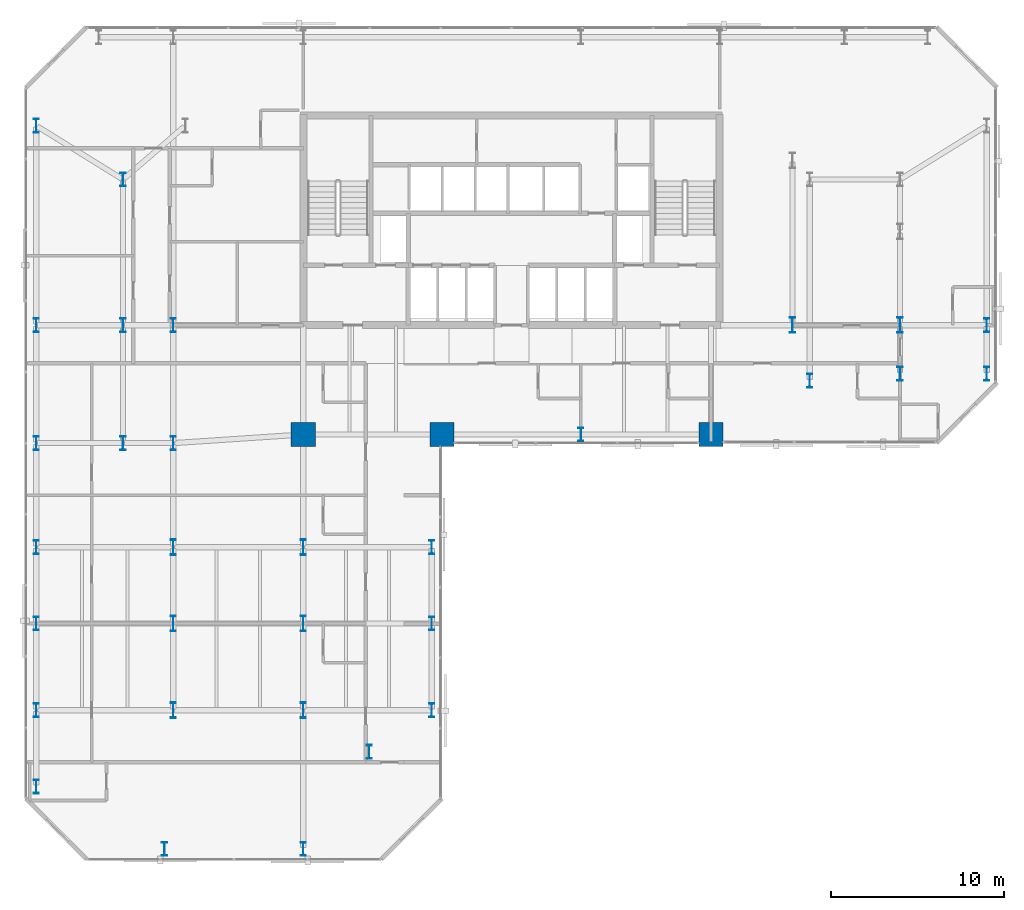
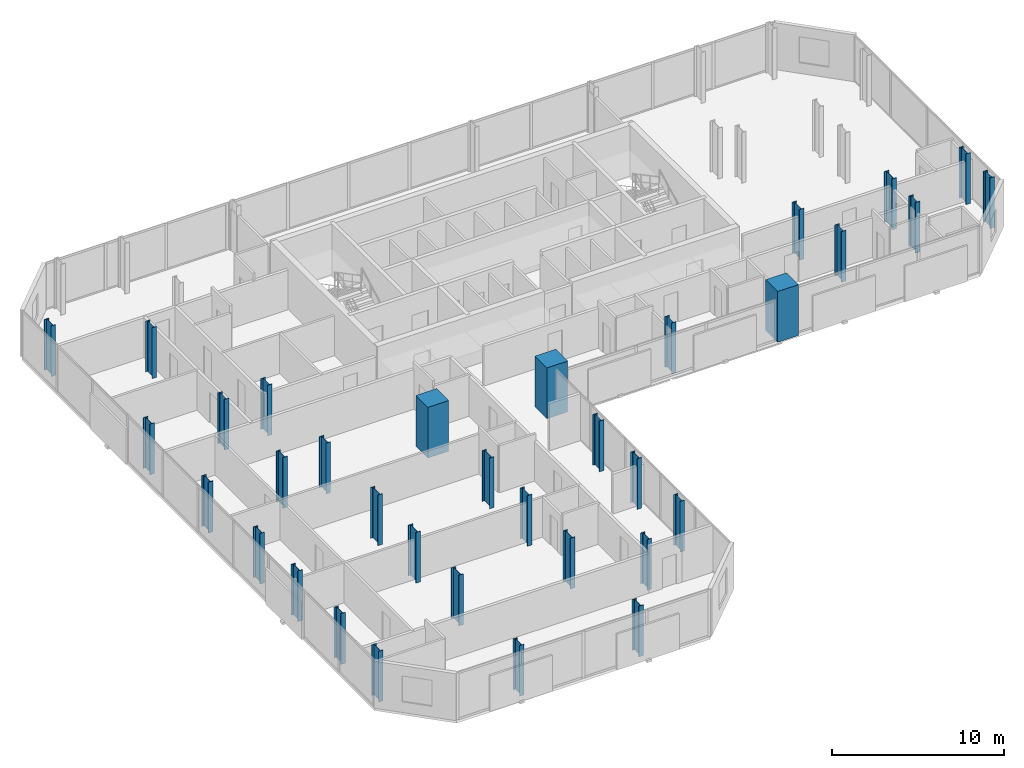
# One storey, part 1 of 33: 34 columns.
"""IFC4 building model written with IfcOpenShell, lengths in metres."""

from ifc_helpers import new_model, si_unit, direction, frame, origin, origin_2d, place, context, subcontext, project, spatial, rectangle, i_section, extrude, material, material_profile, profile_set, type_object, element, save


model = new_model("IFC4")

# Units and contexts
model_context = context("Model", 3, precision=1e-05, world=origin(), true_north=direction((0.0, 1.0)))
body_context = subcontext(model_context, "Body", "Model", "MODEL_VIEW")
ifc_project = project(units=[si_unit("LENGTHUNIT", "METRE"), si_unit("AREAUNIT", "SQUARE_METRE"), si_unit("VOLUMEUNIT", "CUBIC_METRE"), si_unit("PLANEANGLEUNIT", "RADIAN"), si_unit("MASSUNIT", "GRAM", prefix="KILO")], contexts=[model_context])

# Site, building, storey
site_placement = place(None, origin())
site = spatial("IfcSite", under=ifc_project, at=site_placement, CompositionType="ELEMENT")
building_placement = place(site_placement, origin())
building = spatial("IfcBuilding", under=site, at=building_placement, Name="Catumbela Crestline Tower", CompositionType="ELEMENT")
storey_placement = place(building_placement, frame((0.0, 0.0, 51.0)))
storey = spatial("IfcBuildingStorey", under=building, at=storey_placement, Name="L12", CompositionType="ELEMENT", Elevation=51.0)

# Columns
ifc_material_1 = material(Name="Concrete C60/75", Category="concrete")
ifc_material_profile_1 = material_profile(ifc_material_1, rectangle(XDim=1.4, YDim=1.4, at=origin_2d()), Name="RC 1400x1400")
ifc_profile_set_1 = profile_set([ifc_material_profile_1], Name="Concrete C60/75")
column_type_1 = type_object("IfcColumnType", Name="C-RC1400-C60", PredefinedType="COLUMN", material=ifc_profile_set_1)
for number, where, z_axis, x_axis, name in (
    (1, (16.0, 24.5, 0.0), (0.0, 0.0, 1.0), (1.0, 0.0, 0.0), "L12 Column C-16-24 (RC 1400x1400)"),
    (2, (24.0, 24.5, 0.0), (0.0, 0.0, 1.0), (1.0, 0.0, 0.0), "L12 Column C-24-24 (RC 1400x1400)"),
    (3, (39.5, 24.5, 0.0), (0.0, 0.0, 1.0), (1.0, 0.0, 0.0), "L12 Column C-40-24 (RC 1400x1400)"),
):
    element("IfcColumn", number, at=place(storey_placement, frame(where, z_axis=z_axis, x_axis=x_axis)), inside=storey, type_object=column_type_1, Name=name, PredefinedType="COLUMN", context=body_context, shape_type="SweptSolid", body=[
        extrude(rectangle(XDim=1.4, YDim=1.4, at=origin_2d()), origin(), (0.0, 0.0, 1.0), 3.6),
    ])
ifc_material_2 = material(Name="Structural steel S460M", Category="steel")
ifc_material_profile_2 = material_profile(ifc_material_2, i_section(OverallWidth=0.3, OverallDepth=0.8, WebThickness=0.0175, FlangeThickness=0.033, FilletRadius=0.03, at=origin_2d()), Name="HEB 800")
ifc_profile_set_2 = profile_set([ifc_material_profile_2], Name="Structural steel S460M")
column_type_2 = type_object("IfcColumnType", Name="C-ST-HEB800", PredefinedType="COLUMN", material=ifc_profile_set_2)
for number, where, z_axis, x_axis, name in (
    (4, (8.5, 24.0, 0.0), (0.0, 0.0, 1.0), (1.0, 0.0, 0.0), "L12 Column C-08-24 (HEB 800)"),
    (5, (32.0, 24.5, 0.0), (0.0, 0.0, 1.0), (1.0, 0.0, 0.0), "L12 Column C-32-24 (HEB 800)"),
    (6, (5.6, 24.0, 0.0), (0.0, 0.0, 1.0), (1.0, 0.0, 0.0), "L12 Column C-05-24 (HEB 800)"),
    (7, (5.6, 30.8, 0.0), (0.0, 0.0, 1.0), (1.0, 0.0, 0.0), "L12 Column C-05-31 (HEB 800)"),
    (8, (5.6, 39.2, 0.0), (0.0, 0.0, 1.0), (1.0, 0.0, 0.0), "L12 Column C-05-43 (HEB 800)"),
    (9, (8.5, 30.8, 0.0), (0.0, 0.0, 1.0), (1.0, 0.0, 0.0), "L12 Column C-08-31 (HEB 800)"),
    (10, (45.2, 27.6, 0.0), (0.0, 0.0, 1.0), (1.0, 0.0, 0.0), "L12 Column C-46-24 (HEB 800)"),
    (11, (0.6, 24.0, 0.0), (0.0, 0.0, 1.0), (1.0, 0.0, 0.0), "L12 Column C-00-24 (HEB 800)"),
    (12, (0.6, 30.8, 0.0), (0.0, 0.0, 1.0), (1.0, 0.0, 0.0), "L12 Column C-00-31 (HEB 800)"),
    (13, (0.6, 42.3, 0.0), (0.0, 0.0, 1.0), (1.0, 0.0, 0.0), "L12 Column C-00-43 (HEB 800)"),
    (14, (50.4, 28.0, 0.0), (0.0, 0.0, 1.0), (1.0, 0.0, 0.0), "L12 Column C-51-24 (HEB 800)"),
    (15, (55.4, 28.0, 0.0), (0.0, 0.0, 1.0), (1.0, 0.0, 0.0), "L12 Column C-56-24 (HEB 800)"),
    (16, (55.4, 30.8, 0.0), (0.0, 0.0, 1.0), (1.0, 0.0, 0.0), "L12 Column C-56-31 (HEB 800)"),
    (17, (0.6, 8.6, 0.0), (0.0, 0.0, 1.0), (1.0, 0.0, 0.0), "L12 Column C-00-05 (HEB 800)"),
    (18, (0.6, 13.6, 0.0), (0.0, 0.0, 1.0), (1.0, 0.0, 0.0), "L12 Column C-00-10 (HEB 800)"),
    (19, (0.6, 18.0, 0.0), (0.0, 0.0, 1.0), (1.0, 0.0, 0.0), "L12 Column C-00-16 (HEB 800)"),
    (20, (0.6, 4.2, 0.0), (0.0, 0.0, 1.0), (1.0, 0.0, 0.0), "L12 Column C-00-03 (HEB 800)"),
    (21, (8.0, 0.6, 0.0), (0.0, 0.0, 1.0), (1.0, 0.0, 0.0), "L12 Column C-08-00 (HEB 800)"),
    (22, (16.0, 0.6, 0.0), (0.0, 0.0, 1.0), (1.0, 0.0, 0.0), "L12 Column C-16-00 (HEB 800)"),
    (23, (19.8, 6.2, 0.0), (0.0, 0.0, 1.0), (1.0, 0.0, 0.0), "L12 Column C-24-05 (HEB 800)"),
    (24, (23.4, 8.6, 0.0), (0.0, 0.0, 1.0), (1.0, 0.0, 0.0), "L12 Column C-23-08 (HEB 800)"),
    (25, (23.4, 13.6, 0.0), (0.0, 0.0, 1.0), (1.0, 0.0, 0.0), "L12 Column C-24-10 (HEB 800)"),
    (26, (23.4, 18.0, 0.0), (0.0, 0.0, 1.0), (1.0, 0.0, 0.0), "L12 Column C-24-16 (HEB 800)"),
):
    element("IfcColumn", number, at=place(storey_placement, frame(where, z_axis=z_axis, x_axis=x_axis)), inside=storey, type_object=column_type_2, Name=name, PredefinedType="COLUMN", context=body_context, shape_type="SweptSolid", body=[
        extrude(i_section(OverallWidth=0.3, OverallDepth=0.8, WebThickness=0.0175, FlangeThickness=0.033, FilletRadius=0.03, at=origin_2d()), origin(), (0.0, 0.0, 1.0), 3.6),
    ])
ifc_material_profile_3 = material_profile(ifc_material_2, i_section(OverallWidth=0.3, OverallDepth=0.9, WebThickness=0.0185, FlangeThickness=0.035, FilletRadius=0.03, at=origin_2d()), Name="HEB 900")
ifc_profile_set_3 = profile_set([ifc_material_profile_3], Name="Structural steel S460M")
column_type_3 = type_object("IfcColumnType", Name="C-ST-HEB900", PredefinedType="COLUMN", material=ifc_profile_set_3)
for number, where, z_axis, x_axis, name in (
    (27, (8.5, 8.6, 0.0), (0.0, 0.0, 1.0), (1.0, 0.0, 0.0), "L12 Column CT-05-05 (HEB 900)"),
    (28, (16.0, 8.6, 0.0), (0.0, 0.0, 1.0), (1.0, 0.0, 0.0), "L12 Column CT-14-05 (HEB 900)"),
    (29, (8.5, 13.6, 0.0), (0.0, 0.0, 1.0), (1.0, 0.0, 0.0), "L12 Column CT-05-10 (HEB 900)"),
    (30, (16.0, 13.6, 0.0), (0.0, 0.0, 1.0), (1.0, 0.0, 0.0), "L12 Column CT-14-10 (HEB 900)"),
    (31, (8.5, 18.0, 0.0), (0.0, 0.0, 1.0), (1.0, 0.0, 0.0), "L12 Column CT-05-16 (HEB 900)"),
    (32, (16.0, 18.0, 0.0), (0.0, 0.0, 1.0), (1.0, 0.0, 0.0), "L12 Column CT-14-16 (HEB 900)"),
    (33, (44.2, 30.8, 0.0), (0.0, 0.0, 1.0), (1.0, 0.0, 0.0), "L12 Column CT-46-31 (HEB 900)"),
    (34, (50.4, 30.8, 0.0), (0.0, 0.0, 1.0), (1.0, 0.0, 0.0), "L12 Column CT-51-31 (HEB 900)"),
):
    element("IfcColumn", number, at=place(storey_placement, frame(where, z_axis=z_axis, x_axis=x_axis)), inside=storey, type_object=column_type_3, Name=name, PredefinedType="COLUMN", context=body_context, shape_type="SweptSolid", body=[
        extrude(i_section(OverallWidth=0.3, OverallDepth=0.9, WebThickness=0.0185, FlangeThickness=0.035, FilletRadius=0.03, at=origin_2d()), origin(), (0.0, 0.0, 1.0), 3.6),
    ])

save(model, "model.ifc")
